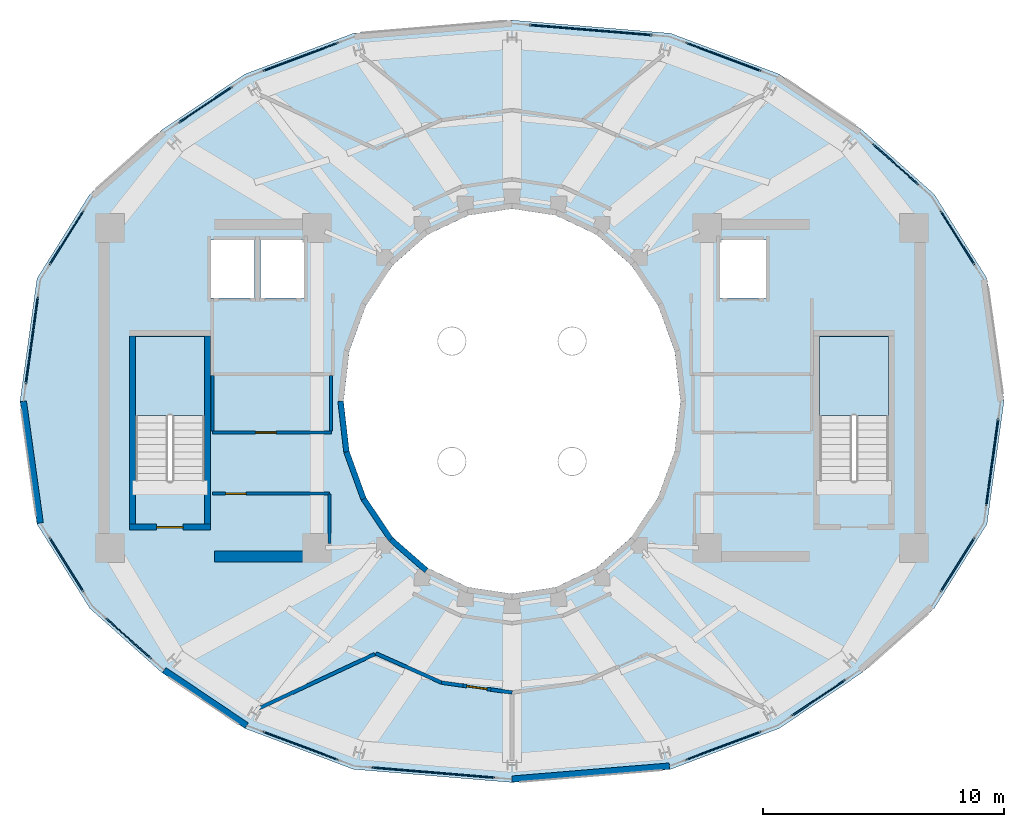
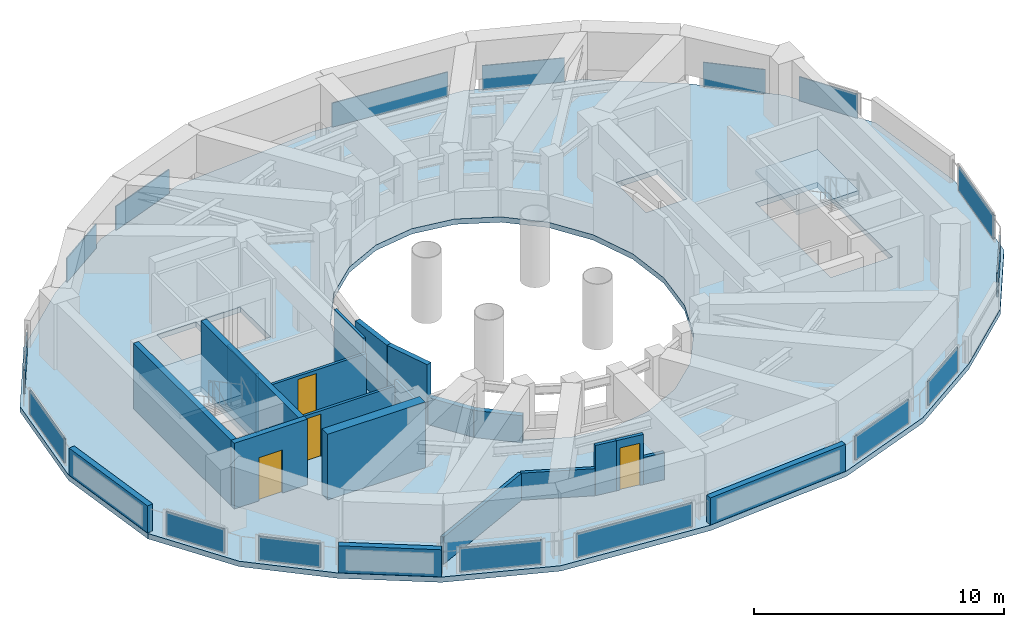
# One storey, part 12 of 17: 21 walls, 16 plates, 4 doors, 3 slabs, 4 openings, 18 elements without a shape of their own.
"""IFC4 building model written with IfcOpenShell, lengths in metres."""

from ifc_helpers import new_model, si_unit, direction, frame, frame_2d, origin, origin_2d, place, context, subcontext, project, spatial, polyline, rectangle, outline, extrude, material, layer, layer_set, type_object, element, fill, aggregate, save


model = new_model("IFC4")

# Units and contexts
model_context = context("Model", 3, precision=1e-05, world=origin(), true_north=direction((0.0, 1.0)))
body_context = subcontext(model_context, "Body", "Model", "MODEL_VIEW")
ifc_project = project(units=[si_unit("LENGTHUNIT", "METRE"), si_unit("AREAUNIT", "SQUARE_METRE"), si_unit("VOLUMEUNIT", "CUBIC_METRE"), si_unit("PLANEANGLEUNIT", "RADIAN"), si_unit("MASSUNIT", "GRAM", prefix="KILO")], contexts=[model_context])

# Site, building, storey
site_placement = place(None, origin())
site = spatial("IfcSite", under=ifc_project, at=site_placement, CompositionType="ELEMENT")
building_placement = place(site_placement, origin())
building = spatial("IfcBuilding", under=site, at=building_placement, Name="Solvane Sanctuary Tower", CompositionType="ELEMENT")
storey_placement = place(building_placement, frame((0.0, 0.0, 273.199951171875)))
storey = spatial("IfcBuildingStorey", under=building, at=storey_placement, Name="L83", CompositionType="ELEMENT", Elevation=273.199951171875)

# Curtain wall, plate
ifc_material_1 = material(Name="Anodised Aluminium 6063-T6", Category="aluminium")
ifc_layer_1 = layer(ifc_material_1, 0.219970703125, Name="Anodised Aluminium 6063-T6")
ifc_layer_set_1 = layer_set([ifc_layer_1], Name="Anodised Aluminium 6063-T6")
curtain_wall_type = type_object("IfcCurtainWallType", Name="Curtain Wall CW-CROWN", PredefinedType="NOTDEFINED", material=ifc_layer_set_1)
curtain_wall_1_placement = place(storey_placement, origin())
curtain_wall_1 = element("IfcCurtainWall", 1, at=curtain_wall_1_placement, inside=storey, type_object=curtain_wall_type, Name="L83 Crown Fritted Lantern Curtain Wall 01", PredefinedType="NOTDEFINED")
ifc_material_2 = material(Name="Acoustic Spandrel Glass", Category="glass")
ifc_layer_2 = layer(ifc_material_2, 0.052001953125, Name="Acoustic Spandrel Glass")
ifc_layer_set_2 = layer_set([ifc_layer_2], Name="Acoustic Spandrel Glass")
plate_type = type_object("IfcPlateType", Name="Plate PN-SPANDREL", PredefinedType="CURTAIN_PANEL", material=ifc_layer_set_2)
plate_1_placement = place(storey_placement, frame((50.51025390625, 29.7900390625, 0.0751953125), z_axis=(0.0, 0.0, 1.0), x_axis=(-0.53181949608, 0.846857735154, 0.0)))
plate_1 = element("IfcPlate", 2, at=plate_1_placement, type_object=plate_type, Name="CW-CROWN panel 1.1", PredefinedType="CURTAIN_PANEL", context=body_context, shape_type="SweptSolid", body=[
    extrude(rectangle(XDim=2.642578125, YDim=0.052001953125, at=origin_2d()), origin(), (0.0, 0.0, 1.0), 1.169921875),
])
aggregate(curtain_wall_1, [plate_1])

curtain_wall_2_placement = place(storey_placement, origin())
curtain_wall_2 = element("IfcCurtainWall", 3, at=curtain_wall_2_placement, inside=storey, type_object=curtain_wall_type, Name="L83 Crown Fritted Lantern Curtain Wall 02", PredefinedType="NOTDEFINED")
plate_2_placement = place(storey_placement, frame((47.934814453125, 32.846923828125, 0.0751953125), z_axis=(0.0, 0.0, 1.0), x_axis=(-0.746944268113, 0.664886652244, 0.0)))
plate_2 = element("IfcPlate", 4, at=plate_2_placement, type_object=plate_type, Name="CW-CROWN panel 1.1", PredefinedType="CURTAIN_PANEL", context=body_context, shape_type="SweptSolid", body=[
    extrude(rectangle(XDim=2.5322265625, YDim=0.052001953125, at=origin_2d()), origin(), (0.0, 0.0, 1.0), 1.169921875),
])
aggregate(curtain_wall_2, [plate_2])

curtain_wall_3_placement = place(storey_placement, origin())
curtain_wall_3 = element("IfcCurtainWall", 5, at=curtain_wall_3_placement, inside=storey, type_object=curtain_wall_type, Name="L83 Crown Fritted Lantern Curtain Wall 04", PredefinedType="NOTDEFINED")
plate_3_placement = place(storey_placement, frame((40.78173828125, 37.312255859375, 0.0751953125), z_axis=(0.0, 0.0, 1.0), x_axis=(-0.936197157999, 0.351475292665, 0.0)))
plate_3 = element("IfcPlate", 6, at=plate_3_placement, type_object=plate_type, Name="CW-CROWN panel 1.1", PredefinedType="CURTAIN_PANEL", context=body_context, shape_type="SweptSolid", body=[
    extrude(rectangle(XDim=3.338134765625, YDim=0.052001953125, at=origin_2d()), origin(), (0.0, 0.0, 1.0), 1.169921875),
])
aggregate(curtain_wall_3, [plate_3])

curtain_wall_4_placement = place(storey_placement, origin())
curtain_wall_4 = element("IfcCurtainWall", 7, at=curtain_wall_4_placement, inside=storey, type_object=curtain_wall_type, Name="L83 Crown Fritted Lantern Curtain Wall 05", PredefinedType="NOTDEFINED")
plate_4_placement = place(storey_placement, frame((35.270263671875, 38.4248046875, 0.0751953125), z_axis=(0.0, 0.0, 1.0), x_axis=(-0.996579745655, 0.082636617486, 0.0)))
plate_4 = element("IfcPlate", 8, at=plate_4_placement, type_object=plate_type, Name="CW-CROWN panel 1.1", PredefinedType="CURTAIN_PANEL", context=body_context, shape_type="SweptSolid", body=[
    extrude(rectangle(XDim=5.11279296875, YDim=0.052001953125, at=origin_2d()), origin(), (0.0, 0.0, 1.0), 1.169921875),
])
aggregate(curtain_wall_4, [plate_4])

curtain_wall_5_placement = place(storey_placement, origin())
curtain_wall_5 = element("IfcCurtainWall", 9, at=curtain_wall_5_placement, inside=storey, type_object=curtain_wall_type, Name="L83 Crown Fritted Lantern Curtain Wall 07", PredefinedType="NOTDEFINED")
plate_5_placement = place(storey_placement, frame((23.21826171875, 37.312255859375, 0.0751953125), z_axis=(0.0, 0.0, 1.0), x_axis=(-0.936197157999, -0.351475292665, 0.0)))
plate_5 = element("IfcPlate", 10, at=plate_5_placement, type_object=plate_type, Name="CW-CROWN panel 1.1", PredefinedType="CURTAIN_PANEL", context=body_context, shape_type="SweptSolid", body=[
    extrude(rectangle(XDim=3.338134765625, YDim=0.052001953125, at=origin_2d()), origin(), (0.0, 0.0, 1.0), 1.169921875),
])
aggregate(curtain_wall_5, [plate_5])

curtain_wall_6_placement = place(storey_placement, origin())
curtain_wall_6 = element("IfcCurtainWall", 11, at=curtain_wall_6_placement, inside=storey, type_object=curtain_wall_type, Name="L83 Crown Fritted Lantern Curtain Wall 08", PredefinedType="NOTDEFINED")
plate_6_placement = place(storey_placement, frame((19.2646484375, 35.32080078125, 0.0751953125), z_axis=(0.0, 0.0, 1.0), x_axis=(-0.830155833978, -0.5575314263, 0.0)))
plate_6 = element("IfcPlate", 12, at=plate_6_placement, type_object=plate_type, Name="CW-CROWN panel 1.1", PredefinedType="CURTAIN_PANEL", context=body_context, shape_type="SweptSolid", body=[
    extrude(rectangle(XDim=2.675048828125, YDim=0.052001953125, at=origin_2d()), origin(), (0.0, 0.0, 1.0), 1.169921875),
])
aggregate(curtain_wall_6, [plate_6])

curtain_wall_7_placement = place(storey_placement, origin())
curtain_wall_7 = element("IfcCurtainWall", 13, at=curtain_wall_7_placement, inside=storey, type_object=curtain_wall_type, Name="L83 Crown Fritted Lantern Curtain Wall 10", PredefinedType="NOTDEFINED")
plate_7_placement = place(storey_placement, frame((13.48974609375, 29.7900390625, 0.0751953125), z_axis=(0.0, 0.0, 1.0), x_axis=(-0.53181949608, -0.846857735154, 0.0)))
plate_7 = element("IfcPlate", 14, at=plate_7_placement, type_object=plate_type, Name="CW-CROWN panel 1.1", PredefinedType="CURTAIN_PANEL", context=body_context, shape_type="SweptSolid", body=[
    extrude(rectangle(XDim=2.642578125, YDim=0.052001953125, at=origin_2d()), origin(), (0.0, 0.0, 1.0), 1.169921875),
])
aggregate(curtain_wall_7, [plate_7])

curtain_wall_8_placement = place(storey_placement, origin())
curtain_wall_8 = element("IfcCurtainWall", 15, at=curtain_wall_8_placement, inside=storey, type_object=curtain_wall_type, Name="L83 Crown Fritted Lantern Curtain Wall 11", PredefinedType="NOTDEFINED")
plate_8_placement = place(storey_placement, frame((12.05078125, 25.528564453125, 0.0751953125), z_axis=(0.0, 0.0, 1.0), x_axis=(-0.137380743565, -0.990518314468, 0.0)))
plate_8 = element("IfcPlate", 16, at=plate_8_placement, type_object=plate_type, Name="CW-CROWN panel 1.1", PredefinedType="CURTAIN_PANEL", context=body_context, shape_type="SweptSolid", body=[
    extrude(rectangle(XDim=3.655517578125, YDim=0.052001953125, at=origin_2d()), origin(), (0.0, 0.0, 1.0), 1.169921875),
])
aggregate(curtain_wall_8, [plate_8])

curtain_wall_9_placement = place(storey_placement, origin())
curtain_wall_9 = element("IfcCurtainWall", 17, at=curtain_wall_9_placement, inside=storey, type_object=curtain_wall_type, Name="L83 Crown Fritted Lantern Curtain Wall 13", PredefinedType="NOTDEFINED")
plate_9_placement = place(storey_placement, frame((13.48974609375, 16.2099609375, 0.0751953125), z_axis=(0.0, 0.0, 1.0), x_axis=(0.53181949608, -0.846857735154, 0.0)))
plate_9 = element("IfcPlate", 18, at=plate_9_placement, type_object=plate_type, Name="CW-CROWN panel 1.1", PredefinedType="CURTAIN_PANEL", context=body_context, shape_type="SweptSolid", body=[
    extrude(rectangle(XDim=2.642578125, YDim=0.052001953125, at=origin_2d()), origin(), (0.0, 0.0, 1.0), 1.169921875),
])
aggregate(curtain_wall_9, [plate_9])

curtain_wall_10_placement = place(storey_placement, origin())
curtain_wall_10 = element("IfcCurtainWall", 19, at=curtain_wall_10_placement, inside=storey, type_object=curtain_wall_type, Name="L83 Crown Fritted Lantern Curtain Wall 14", PredefinedType="NOTDEFINED")
plate_10_placement = place(storey_placement, frame((16.065185546875, 13.153076171875, 0.0751953125), z_axis=(0.0, 0.0, 1.0), x_axis=(0.746944268113, -0.664886652244, 0.0)))
plate_10 = element("IfcPlate", 20, at=plate_10_placement, type_object=plate_type, Name="CW-CROWN panel 1.1", PredefinedType="CURTAIN_PANEL", context=body_context, shape_type="SweptSolid", body=[
    extrude(rectangle(XDim=2.5322265625, YDim=0.052001953125, at=origin_2d()), origin(), (0.0, 0.0, 1.0), 1.169921875),
])
aggregate(curtain_wall_10, [plate_10])

curtain_wall_11_placement = place(storey_placement, origin())
curtain_wall_11 = element("IfcCurtainWall", 21, at=curtain_wall_11_placement, inside=storey, type_object=curtain_wall_type, Name="L83 Crown Fritted Lantern Curtain Wall 16", PredefinedType="NOTDEFINED")
plate_11_placement = place(storey_placement, frame((23.21826171875, 8.687744140625, 0.0751953125), z_axis=(0.0, 0.0, 1.0), x_axis=(0.936197157999, -0.351475292665, 0.0)))
plate_11 = element("IfcPlate", 22, at=plate_11_placement, type_object=plate_type, Name="CW-CROWN panel 1.1", PredefinedType="CURTAIN_PANEL", context=body_context, shape_type="SweptSolid", body=[
    extrude(rectangle(XDim=3.338134765625, YDim=0.052001953125, at=origin_2d()), origin(), (0.0, 0.0, 1.0), 1.169921875),
])
aggregate(curtain_wall_11, [plate_11])

curtain_wall_12_placement = place(storey_placement, origin())
curtain_wall_12 = element("IfcCurtainWall", 23, at=curtain_wall_12_placement, inside=storey, type_object=curtain_wall_type, Name="L83 Crown Fritted Lantern Curtain Wall 17", PredefinedType="NOTDEFINED")
plate_12_placement = place(storey_placement, frame((28.729736328125, 7.5751953125, 0.0751953125), z_axis=(0.0, 0.0, 1.0), x_axis=(0.996579745655, -0.082636617486, 0.0)))
plate_12 = element("IfcPlate", 24, at=plate_12_placement, type_object=plate_type, Name="CW-CROWN panel 1.1", PredefinedType="CURTAIN_PANEL", context=body_context, shape_type="SweptSolid", body=[
    extrude(rectangle(XDim=5.11279296875, YDim=0.052001953125, at=origin_2d()), origin(), (0.0, 0.0, 1.0), 1.169921875),
])
aggregate(curtain_wall_12, [plate_12])

curtain_wall_13_placement = place(storey_placement, origin())
curtain_wall_13 = element("IfcCurtainWall", 25, at=curtain_wall_13_placement, inside=storey, type_object=curtain_wall_type, Name="L83 Crown Fritted Lantern Curtain Wall 19", PredefinedType="NOTDEFINED")
plate_13_placement = place(storey_placement, frame((40.78173828125, 8.687744140625, 0.0751953125), z_axis=(0.0, 0.0, 1.0), x_axis=(0.936197157999, 0.351475292665, 0.0)))
plate_13 = element("IfcPlate", 26, at=plate_13_placement, type_object=plate_type, Name="CW-CROWN panel 1.1", PredefinedType="CURTAIN_PANEL", context=body_context, shape_type="SweptSolid", body=[
    extrude(rectangle(XDim=3.338134765625, YDim=0.052001953125, at=origin_2d()), origin(), (0.0, 0.0, 1.0), 1.169921875),
])
aggregate(curtain_wall_13, [plate_13])

curtain_wall_14_placement = place(storey_placement, origin())
curtain_wall_14 = element("IfcCurtainWall", 27, at=curtain_wall_14_placement, inside=storey, type_object=curtain_wall_type, Name="L83 Crown Fritted Lantern Curtain Wall 20", PredefinedType="NOTDEFINED")
plate_14_placement = place(storey_placement, frame((44.7353515625, 10.67919921875, 0.0751953125), z_axis=(0.0, 0.0, 1.0), x_axis=(0.830155833978, 0.5575314263, 0.0)))
plate_14 = element("IfcPlate", 28, at=plate_14_placement, type_object=plate_type, Name="CW-CROWN panel 1.1", PredefinedType="CURTAIN_PANEL", context=body_context, shape_type="SweptSolid", body=[
    extrude(rectangle(XDim=2.675048828125, YDim=0.052001953125, at=origin_2d()), origin(), (0.0, 0.0, 1.0), 1.169921875),
])
aggregate(curtain_wall_14, [plate_14])

curtain_wall_15_placement = place(storey_placement, origin())
curtain_wall_15 = element("IfcCurtainWall", 29, at=curtain_wall_15_placement, inside=storey, type_object=curtain_wall_type, Name="L83 Crown Fritted Lantern Curtain Wall 22", PredefinedType="NOTDEFINED")
plate_15_placement = place(storey_placement, frame((50.51025390625, 16.2099609375, 0.0751953125), z_axis=(0.0, 0.0, 1.0), x_axis=(0.53181949608, 0.846857735154, 0.0)))
plate_15 = element("IfcPlate", 30, at=plate_15_placement, type_object=plate_type, Name="CW-CROWN panel 1.1", PredefinedType="CURTAIN_PANEL", context=body_context, shape_type="SweptSolid", body=[
    extrude(rectangle(XDim=2.642578125, YDim=0.052001953125, at=origin_2d()), origin(), (0.0, 0.0, 1.0), 1.169921875),
])
aggregate(curtain_wall_15, [plate_15])

curtain_wall_16_placement = place(storey_placement, origin())
curtain_wall_16 = element("IfcCurtainWall", 31, at=curtain_wall_16_placement, inside=storey, type_object=curtain_wall_type, Name="L83 Crown Fritted Lantern Curtain Wall 23", PredefinedType="NOTDEFINED")
plate_16_placement = place(storey_placement, frame((51.94921875, 20.471435546875, 0.0751953125), z_axis=(0.0, 0.0, 1.0), x_axis=(0.137380743565, 0.990518314468, 0.0)))
plate_16 = element("IfcPlate", 32, at=plate_16_placement, type_object=plate_type, Name="CW-CROWN panel 1.1", PredefinedType="CURTAIN_PANEL", context=body_context, shape_type="SweptSolid", body=[
    extrude(rectangle(XDim=3.655517578125, YDim=0.052001953125, at=origin_2d()), origin(), (0.0, 0.0, 1.0), 1.169921875),
])
aggregate(curtain_wall_16, [plate_16])

# Slab
ifc_material_3 = material(Name="Concrete C50/60", Category="concrete")
ifc_layer_3 = layer(ifc_material_3, 0.260009765625, Name="Concrete C50/60")
ifc_layer_set_3 = layer_set([ifc_layer_3], Name="Concrete C50/60")
slab_type_1 = type_object("IfcSlabType", Name="Slab SL-CROWN-260", PredefinedType="FLOOR", material=ifc_layer_set_3)
slab_1_placement = place(storey_placement, frame((0.0, 0.0, -0.260009765625)))
element("IfcSlab", 33, at=slab_1_placement, inside=storey, type_object=slab_type_1, Name="L83 Primary Structural Slab", PredefinedType="FLOOR", context=body_context, shape_type="SweptSolid", body=[
    extrude(outline(polyline([(52.43994140625, 23.0), (51.73388671875, 28.10205078125), (49.542236328125, 31.59912109375), (46.547119140625, 34.2705078125), (43.09912109375, 36.5908203125), (38.58544921875, 38.288818359375), (32.0, 38.8359375), (25.41455078125, 38.288818359375), (20.90087890625, 36.5908203125), (17.452880859375, 34.2705078125), (14.457763671875, 31.59912109375), (12.26611328125, 28.10205078125), (11.56005859375, 23.0), (12.26611328125, 17.89794921875), (14.457763671875, 14.40087890625), (17.452880859375, 11.7294921875), (20.90087890625, 9.4091796875), (25.41455078125, 7.711181640625), (32.0, 7.1640625), (38.58544921875, 7.711181640625), (43.09912109375, 9.4091796875), (46.547119140625, 11.7294921875), (49.542236328125, 14.40087890625), (51.73388671875, 17.89794921875), (52.43994140625, 23.0)]), holes=[polyline([(38.761474609375, 20.929443359375), (38.062255859375, 19.0), (36.94970703125, 17.343017578125), (35.5, 16.07177734375), (33.811767578125, 15.272705078125), (32.0, 15.0), (30.188232421875, 15.272705078125), (28.5, 16.07177734375), (27.05029296875, 17.343017578125), (25.937744140625, 19.0), (25.238525390625, 20.929443359375), (25.0, 23.0), (25.238525390625, 25.070556640625), (25.937744140625, 27.0), (27.05029296875, 28.656982421875), (28.5, 29.92822265625), (30.188232421875, 30.727294921875), (32.0, 31.0), (33.811767578125, 30.727294921875), (35.5, 29.92822265625), (36.94970703125, 28.656982421875), (38.062255859375, 27.0), (38.761474609375, 25.070556640625), (39.0, 23.0), (38.761474609375, 20.929443359375)]), polyline([(16.360107421875, 19.699951171875), (16.360107421875, 25.699951171875), (19.219970703125, 25.699951171875), (19.219970703125, 19.699951171875), (16.360107421875, 19.699951171875)]), polyline([(44.780029296875, 19.699951171875), (44.780029296875, 25.699951171875), (47.639892578125, 25.699951171875), (47.639892578125, 19.699951171875), (44.780029296875, 19.699951171875)]), polyline([(19.5, 29.699951171875), (21.300048828125, 29.699951171875), (21.300048828125, 27.300048828125), (19.5, 27.300048828125), (19.5, 29.699951171875)]), polyline([(21.550048828125, 29.699951171875), (23.35009765625, 29.699951171875), (23.35009765625, 27.300048828125), (21.550048828125, 27.300048828125), (21.550048828125, 29.699951171875)]), polyline([(40.64990234375, 29.699951171875), (42.550048828125, 29.699951171875), (42.550048828125, 27.300048828125), (40.64990234375, 27.300048828125), (40.64990234375, 29.699951171875)])]), origin(), (0.0, 0.0, 1.0), 0.260009765625),
])

# Stair, slab
ifc_material_4 = material(Name="Concrete C45/55", Category="concrete")
stair_type = type_object("IfcStairType", Name="Stair ST-TOW", PredefinedType="HALF_TURN_STAIR", material=ifc_material_4)
stair_1_placement = place(storey_placement, origin())
stair_1 = element("IfcStair", 34, at=stair_1_placement, inside=storey, type_object=stair_type, Name="L83 Exit Stair ST-1 West Core", PredefinedType="HALF_TURN_STAIR")
ifc_layer_4 = layer(ifc_material_4, 0.199951171875, Name="Concrete C45/55")
ifc_layer_set_4 = layer_set([ifc_layer_4], Name="Concrete C45/55")
slab_type_2 = type_object("IfcSlabType", Name="Slab SL-LAND-180", PredefinedType="LANDING", material=ifc_layer_set_4)
slab_2_placement = place(storey_placement, frame((0.0, 0.0, 1.400146484375)))
slab_2 = element("IfcSlab", 35, at=slab_2_placement, type_object=slab_type_2, Name="ST-1 landing 1", PredefinedType="LANDING", context=body_context, shape_type="SweptSolid", body=[
    extrude(outline(polyline([(19.219970703125, 22.39990234375), (19.219970703125, 25.699951171875), (16.360107421875, 25.699951171875), (16.360107421875, 22.39990234375), (19.219970703125, 22.39990234375)])), origin(), (0.0, 0.0, 1.0), 0.199951171875),
])
aggregate(stair_1, [slab_2])

stair_2_placement = place(storey_placement, origin())
stair_2 = element("IfcStair", 36, at=stair_2_placement, inside=storey, type_object=stair_type, Name="L83 Exit Stair ST-2 East Core", PredefinedType="HALF_TURN_STAIR")
slab_3_placement = place(storey_placement, frame((0.0, 0.0, 1.400146484375)))
slab_3 = element("IfcSlab", 37, at=slab_3_placement, type_object=slab_type_2, Name="ST-2 landing 1", PredefinedType="LANDING", context=body_context, shape_type="SweptSolid", body=[
    extrude(outline(polyline([(47.639892578125, 22.39990234375), (47.639892578125, 25.699951171875), (44.780029296875, 25.699951171875), (44.780029296875, 22.39990234375), (47.639892578125, 22.39990234375)])), origin(), (0.0, 0.0, 1.0), 0.199951171875),
])
aggregate(stair_2, [slab_3])

# Walls
ifc_layer_5 = layer(ifc_material_3, 0.449951171875, Name="Concrete C50/60")
ifc_layer_set_5 = layer_set([ifc_layer_5], Name="Concrete C50/60")
wall_type_1 = type_object("IfcWallType", Name="Wall W-CORE-450", PredefinedType="SHEAR", material=ifc_layer_set_5)
wall_1_placement = place(storey_placement, frame((19.64990234375, 16.550048828125, 0.0), z_axis=(0.0, 0.0, 1.0), x_axis=(1.0, 0.0, 0.0)))
element("IfcWall", 38, at=wall_1_placement, inside=storey, type_object=wall_type_1, Name="L83 Core Shear Wall WC-S", PredefinedType="SHEAR", context=body_context, shape_type="SweptSolid", body=[
    extrude(rectangle(XDim=4.5, YDim=0.449951171875, at=frame_2d((2.25, 0.0))), origin(), (0.0, 0.0, 1.0), 3.199951171875),
])
ifc_material_5 = material(Name="Acoustic Gypsum Partition Board")
ifc_layer_6 = layer(ifc_material_5, 0.14990234375, Name="Acoustic Gypsum Partition Board")
ifc_layer_set_6 = layer_set([ifc_layer_6], Name="Acoustic Gypsum Partition Board")
wall_type_2 = type_object("IfcWallType", Name="Wall W-CORR-150", PredefinedType="PARTITIONING", material=ifc_layer_set_6)
wall_2_placement = place(storey_placement, frame((26.30029296875, 12.497802734375, 0.0), z_axis=(0.0, 0.0, 1.0), x_axis=(-0.90567955352, -0.423962906793, 0.0)))
element("IfcWall", 39, at=wall_2_placement, inside=storey, type_object=wall_type_2, Name="L83 Mechanical Plant Radial Wall 240", PredefinedType="PARTITIONING", context=body_context, shape_type="SweptSolid", body=[
    extrude(rectangle(XDim=5.41943359375, YDim=0.14990234375, at=frame_2d((2.709716796875, 0.0))), origin(), (0.0, 0.0, 1.0), 1.320068359375),
])
wall_3_placement = place(storey_placement, frame((26.34326171875, 12.525390625, 0.0), z_axis=(0.0, 0.0, 1.0), x_axis=(0.913989848226, -0.405737054432, 0.0)))
element("IfcWall", 40, at=wall_3_placement, inside=storey, type_object=wall_type_2, Name="L83 Plant Corridor Wall 4", PredefinedType="PARTITIONING", context=body_context, shape_type="SweptSolid", body=[
    extrude(rectangle(XDim=2.9912109375, YDim=0.14990234375, at=frame_2d((1.49560546875, 0.0))), origin(), (0.0, 0.0, 1.0), 1.320068359375),
])
wall_4_placement = place(storey_placement, frame((29.073486328125, 11.312744140625, 0.0), z_axis=(0.0, 0.0, 1.0), x_axis=(0.990273584723, -0.13913384707, 0.0)))
element("IfcWall", 41, at=wall_4_placement, inside=storey, type_object=wall_type_2, Name="L83 Plant Corridor Wall 4", PredefinedType="PARTITIONING", context=body_context, shape_type="SweptSolid", body=[
    extrude(rectangle(XDim=0.896728515625, YDim=0.14990234375, at=frame_2d((0.4482421875, 0.0))), origin(), (0.0, 0.0, 1.0), 2.445068359375),
])

# Wall, opening, door
wall_5_placement = place(storey_placement, frame((29.96142578125, 11.18798828125, 0.0), z_axis=(0.0, 0.0, 1.0), x_axis=(0.990239487993, -0.139376312259, 0.0)))
wall_5 = element("IfcWall", 42, at=wall_5_placement, inside=storey, type_object=wall_type_2, Name="L83 Plant Corridor Wall 4", PredefinedType="PARTITIONING", context=body_context, shape_type="SweptSolid", body=[
    extrude(rectangle(XDim=1.170166015625, YDim=0.14990234375, at=frame_2d((0.5849609375, 0.0))), origin(), (0.0, 0.0, 1.0), 2.445068359375),
])
opening_1_placement = place(wall_5_placement, frame((0.159912109375, 0.0, 0.0)))
opening_1 = element("IfcOpeningElement", 43, at=opening_1_placement, cuts=wall_5, Name="Opening D-L83-12", PredefinedType="OPENING", context=body_context, shape_type="SweptSolid", body=[
    extrude(rectangle(XDim=0.85009765625, YDim=2.050048828125, at=frame_2d((0.425048828125, 1.02490234375))), frame((0.0, 0.0849609375, 0.0), z_axis=(0.0, -1.0, 0.0), x_axis=(1.0, 0.0, 0.0)), (0.0, 0.0, 1.0), 0.169921875),
])
ifc_material_6 = material(Name="Architectural Stainless Steel 316", Category="steel")
door_type_1 = type_object("IfcDoorType", Name="Door D-RISER", OperationType="NOTDEFINED", PredefinedType="DOOR", material=ifc_material_6)
door_1_placement = place(opening_1_placement, origin())
door_1 = element("IfcDoor", 44, at=door_1_placement, inside=storey, type_object=door_type_1, Name="L83 Plant Room Door 4", OperationType="SINGLE_SWING_RIGHT", OverallHeight=2.050048828125, OverallWidth=0.85009765625, PredefinedType="DOOR", context=body_context, shape_type="SweptSolid", body=[
    extrude(rectangle(XDim=0.85009765625, YDim=2.050048828125, at=frame_2d((0.425048828125, 1.02490234375))), frame((0.0, 0.02490234375, 0.0), z_axis=(0.0, -1.0, 0.0), x_axis=(1.0, 0.0, 0.0)), (0.0, 0.0, 1.0), 0.050048828125),
])
fill(opening_1, door_1)

# Walls
wall_6_placement = place(storey_placement, frame((31.1201171875, 11.02490234375, 0.0), z_axis=(0.0, 0.0, 1.0), x_axis=(0.99023074259, -0.1394384324, 0.0)))
element("IfcWall", 45, at=wall_6_placement, inside=storey, type_object=wall_type_2, Name="L83 Plant Corridor Wall 4", PredefinedType="PARTITIONING", context=body_context, shape_type="SweptSolid", body=[
    extrude(rectangle(XDim=0.896484375, YDim=0.14990234375, at=frame_2d((0.4482421875, 0.0))), origin(), (0.0, 0.0, 1.0), 1.320068359375),
])
ifc_material_7 = material(Name="Precast concrete C40/50", Category="concrete")
ifc_layer_7 = layer(ifc_material_7, 0.260009765625, Name="Precast concrete C40/50")
ifc_layer_set_7 = layer_set([ifc_layer_7], Name="Precast concrete C40/50")
wall_type_3 = type_object("IfcWallType", Name="Wall W-EXT-250", PredefinedType="STANDARD", material=ifc_layer_set_7)
wall_7_placement = place(storey_placement, frame((11.699951171875, 23.0, 0.0), z_axis=(0.0, 0.0, 1.0), x_axis=(0.13738982753, -0.990517054518, 0.0)))
element("IfcWall", 46, at=wall_7_placement, inside=storey, type_object=wall_type_3, Name="L83 Crown Acoustic Louvred Wall 12", PredefinedType="STANDARD", context=body_context, shape_type="SweptSolid", body=[
    extrude(rectangle(XDim=5.105224609375, YDim=0.260009765625, at=frame_2d((2.552734375, 0.0))), origin(), (0.0, 0.0, 1.0), 1.320068359375),
])
wall_8_placement = place(storey_placement, frame((17.552490234375, 11.8291015625, 0.0), z_axis=(0.0, 0.0, 1.0), x_axis=(0.830169869245, -0.557510527432, 0.0)))
element("IfcWall", 47, at=wall_8_placement, inside=storey, type_object=wall_type_3, Name="L83 Crown Acoustic Louvred Wall 15", PredefinedType="STANDARD", context=body_context, shape_type="SweptSolid", body=[
    extrude(rectangle(XDim=4.125244140625, YDim=0.260009765625, at=frame_2d((2.0625, 0.0))), origin(), (0.0, 0.0, 1.0), 1.320068359375),
])
wall_9_placement = place(storey_placement, frame((32.0, 7.303955078125, 0.0), z_axis=(0.0, 0.0, 1.0), x_axis=(0.996580817631, 0.082623688677, 0.0)))
element("IfcWall", 48, at=wall_9_placement, inside=storey, type_object=wall_type_3, Name="L83 Crown Acoustic Louvred Wall 18", PredefinedType="STANDARD", context=body_context, shape_type="SweptSolid", body=[
    extrude(rectangle(XDim=6.562744140625, YDim=0.260009765625, at=frame_2d((3.28125, 0.0))), origin(), (0.0, 0.0, 1.0), 1.320068359375),
])
ifc_layer_8 = layer(ifc_material_7, 0.22998046875, Name="Precast concrete C40/50")
ifc_layer_set_8 = layer_set([ifc_layer_8], Name="Precast concrete C40/50")
wall_type_4 = type_object("IfcWallType", Name="Wall W-EXT-SP220", PredefinedType="STANDARD", material=ifc_layer_set_8)
wall_10_placement = place(storey_placement, frame((24.8798828125, 23.0, 0.0), z_axis=(0.0, 0.0, 1.0), x_axis=(0.114711713601, -0.993398823617, 0.0)))
element("IfcWall", 49, at=wall_10_placement, inside=storey, type_object=wall_type_4, Name="L83 Central Light-Well Wall 12", PredefinedType="STANDARD", context=body_context, shape_type="SweptSolid", body=[
    extrude(rectangle(XDim=2.115478515625, YDim=0.22998046875, at=frame_2d((1.0576171875, 0.0))), origin(), (0.0, 0.0, 1.0), 2.900146484375),
])
wall_11_placement = place(storey_placement, frame((25.12255859375, 20.8984375, 0.0), z_axis=(0.0, 0.0, 1.0), x_axis=(0.341423187295, -0.93990968033, 0.0)))
element("IfcWall", 50, at=wall_11_placement, inside=storey, type_object=wall_type_4, Name="L83 Central Light-Well Wall 13", PredefinedType="STANDARD", context=body_context, shape_type="SweptSolid", body=[
    extrude(rectangle(XDim=2.083740234375, YDim=0.22998046875, at=frame_2d((1.0419921875, 0.0))), origin(), (0.0, 0.0, 1.0), 2.900146484375),
])
wall_12_placement = place(storey_placement, frame((25.833984375, 18.93994140625, 0.0), z_axis=(0.0, 0.0, 1.0), x_axis=(0.558197800898, -0.829707909492, 0.0)))
element("IfcWall", 51, at=wall_12_placement, inside=storey, type_object=wall_type_4, Name="L83 Central Light-Well Wall 14", PredefinedType="STANDARD", context=body_context, shape_type="SweptSolid", body=[
    extrude(rectangle(XDim=2.02685546875, YDim=0.22998046875, at=frame_2d((1.013427734375, 0.0))), origin(), (0.0, 0.0, 1.0), 1.320068359375),
])
wall_13_placement = place(storey_placement, frame((26.96533203125, 17.25830078125, 0.0), z_axis=(0.0, 0.0, 1.0), x_axis=(0.752576694707, -0.658504607869, 0.0)))
element("IfcWall", 52, at=wall_13_placement, inside=storey, type_object=wall_type_4, Name="L83 Central Light-Well Wall 15", PredefinedType="STANDARD", context=body_context, shape_type="SweptSolid", body=[
    extrude(rectangle(XDim=1.95947265625, YDim=0.22998046875, at=frame_2d((0.979736328125, 0.0))), origin(), (0.0, 0.0, 1.0), 1.320068359375),
])

# Wall, opening, door
ifc_layer_9 = layer(ifc_material_5, 0.125, Name="Acoustic Gypsum Partition Board")
ifc_layer_set_9 = layer_set([ifc_layer_9], Name="Acoustic Gypsum Partition Board")
wall_type_5 = type_object("IfcWallType", Name="Wall W-PART-125", PredefinedType="PARTITIONING", material=ifc_layer_set_9)
wall_14_placement = place(storey_placement, frame((19.550048828125, 19.159912109375, 0.0), z_axis=(0.0, 0.0, 1.0), x_axis=(1.0, 0.0, 0.0)))
wall_14 = element("IfcWall", 53, at=wall_14_placement, inside=storey, type_object=wall_type_5, Name="L83 Reclaimed Room Partition PLW", PredefinedType="PARTITIONING", context=body_context, shape_type="SweptSolid", body=[
    extrude(rectangle(XDim=4.869873046875, YDim=0.125, at=frame_2d((2.43505859375, 0.0))), origin(), (0.0, 0.0, 1.0), 2.219970703125),
])
opening_2_placement = place(wall_14_placement, frame((0.550048828125, 0.0, 0.0)))
opening_2 = element("IfcOpeningElement", 54, at=opening_2_placement, cuts=wall_14, Name="Opening D-L83-05", PredefinedType="OPENING", context=body_context, shape_type="SweptSolid", body=[
    extrude(rectangle(XDim=0.85009765625, YDim=2.050048828125, at=frame_2d((0.425048828125, 1.02490234375))), frame((0.0, 0.072509765625, 0.0), z_axis=(0.0, -1.0, 0.0), x_axis=(1.0, 0.0, 0.0)), (0.0, 0.0, 1.0), 0.14501953125),
])
door_2_placement = place(opening_2_placement, origin())
door_2 = element("IfcDoor", 55, at=door_2_placement, inside=storey, type_object=door_type_1, Name="L83 Reclaimed Room Door PLW-1", OperationType="SINGLE_SWING_LEFT", OverallHeight=2.050048828125, OverallWidth=0.85009765625, PredefinedType="DOOR", context=body_context, shape_type="SweptSolid", body=[
    extrude(rectangle(XDim=0.85009765625, YDim=2.050048828125, at=frame_2d((0.425048828125, 1.02490234375))), frame((0.0, 0.02490234375, 0.0), z_axis=(0.0, -1.0, 0.0), x_axis=(1.0, 0.0, 0.0)), (0.0, 0.0, 1.0), 0.050048828125),
])
fill(opening_2, door_2)

# Wall
wall_15_placement = place(storey_placement, frame((24.419921875, 17.10009765625, 0.0), z_axis=(0.0, 0.0, 1.0), x_axis=(0.0, 1.0, 0.0)))
element("IfcWall", 56, at=wall_15_placement, inside=storey, type_object=wall_type_5, Name="L83 Reclaimed Room Closer Wall PLW-1", PredefinedType="PARTITIONING", context=body_context, shape_type="SweptSolid", body=[
    extrude(rectangle(XDim=2.039794921875, YDim=0.125, at=frame_2d((1.02001953125, 0.0))), origin(), (0.0, 0.0, 1.0), 2.490966796875),
])

# Wall, opening, door
wall_16_placement = place(storey_placement, frame((19.550048828125, 21.699951171875, 0.0), z_axis=(0.0, 0.0, 1.0), x_axis=(1.0, 0.0, 0.0)))
wall_16 = element("IfcWall", 57, at=wall_16_placement, inside=storey, type_object=wall_type_5, Name="L83 Reclaimed Room Partition PMW", PredefinedType="PARTITIONING", context=body_context, shape_type="SweptSolid", body=[
    extrude(rectangle(XDim=4.949951171875, YDim=0.125, at=frame_2d((2.47509765625, 0.0))), origin(), (0.0, 0.0, 1.0), 2.219970703125),
])
opening_3_placement = place(wall_16_placement, frame((1.800048828125, 0.0, 0.0)))
opening_3 = element("IfcOpeningElement", 58, at=opening_3_placement, cuts=wall_16, Name="Opening D-L83-07", PredefinedType="OPENING", context=body_context, shape_type="SweptSolid", body=[
    extrude(rectangle(XDim=0.85009765625, YDim=2.050048828125, at=frame_2d((0.425048828125, 1.02490234375))), frame((0.0, 0.072509765625, 0.0), z_axis=(0.0, -1.0, 0.0), x_axis=(1.0, 0.0, 0.0)), (0.0, 0.0, 1.0), 0.14501953125),
])
door_3_placement = place(opening_3_placement, origin())
door_3 = element("IfcDoor", 59, at=door_3_placement, inside=storey, type_object=door_type_1, Name="L83 Reclaimed Room Door PMW-1", OperationType="SINGLE_SWING_LEFT", OverallHeight=2.050048828125, OverallWidth=0.85009765625, PredefinedType="DOOR", context=body_context, shape_type="SweptSolid", body=[
    extrude(rectangle(XDim=0.85009765625, YDim=2.050048828125, at=frame_2d((0.425048828125, 1.02490234375))), frame((0.0, 0.02490234375, 0.0), z_axis=(0.0, -1.0, 0.0), x_axis=(1.0, 0.0, 0.0)), (0.0, 0.0, 1.0), 0.050048828125),
])
fill(opening_3, door_3)

# Walls
for number, where, z_axis, x_axis, name in (
    (60, (19.550048828125, 21.760009765625, 0.0), (0.0, 0.0, 1.0), (0.0, 1.0, 0.0), "L83 Reclaimed Room Closer Wall PMW-1"),
    (61, (24.47998046875, 21.760009765625, 0.0), (0.0, 0.0, 1.0), (0.0, 1.0, 0.0), "L83 Reclaimed Room Closer Wall PMW-2"),
):
    element("IfcWall", number, at=place(storey_placement, frame(where, z_axis=z_axis, x_axis=x_axis)), inside=storey, type_object=wall_type_5, Name=name, PredefinedType="PARTITIONING", context=body_context, shape_type="SweptSolid", body=[
        extrude(rectangle(XDim=2.320068359375, YDim=0.125, at=frame_2d((1.16015625, 0.0))), origin(), (0.0, 0.0, 1.0), 2.9150390625),
    ])

# Wall, opening, door
ifc_layer_10 = layer(ifc_material_3, 0.25, Name="Concrete C50/60")
ifc_layer_set_10 = layer_set([ifc_layer_10], Name="Concrete C50/60")
wall_type_6 = type_object("IfcWallType", Name="Wall W-SHAFT-250", PredefinedType="SOLIDWALL", material=ifc_layer_set_10)
wall_17_placement = place(storey_placement, frame((16.10498046875, 17.77001953125, 0.0), z_axis=(0.0, 0.0, 1.0), x_axis=(1.0, 0.0, 0.0)))
wall_17 = element("IfcWall", 62, at=wall_17_placement, inside=storey, type_object=wall_type_6, Name="L83 ST-1 Load-Bearing Shaft Wall S", PredefinedType="SOLIDWALL", context=body_context, shape_type="SweptSolid", body=[
    extrude(rectangle(XDim=3.3701171875, YDim=0.25, at=frame_2d((1.68505859375, 0.0))), origin(), (0.0, 0.0, 1.0), 3.199951171875),
])
opening_4_placement = place(wall_17_placement, frame((1.135009765625, 0.0, 0.0)))
opening_4 = element("IfcOpeningElement", 63, at=opening_4_placement, cuts=wall_17, Name="Opening D-L83-01", PredefinedType="OPENING", context=body_context, shape_type="SweptSolid", body=[
    extrude(rectangle(XDim=1.10009765625, YDim=2.10009765625, at=frame_2d((0.550048828125, 1.050048828125))), frame((0.0, 0.135009765625, 0.0), z_axis=(0.0, -1.0, 0.0), x_axis=(1.0, 0.0, 0.0)), (0.0, 0.0, 1.0), 0.27001953125),
])
door_type_2 = type_object("IfcDoorType", Name="Door D-STAIR", OperationType="NOTDEFINED", PredefinedType="DOOR", material=ifc_material_6)
door_4_placement = place(opening_4_placement, origin())
door_4 = element("IfcDoor", 64, at=door_4_placement, inside=storey, type_object=door_type_2, Name="L83 ST-1 Exit Stair Fire Door", OperationType="SINGLE_SWING_LEFT", OverallHeight=2.10009765625, OverallWidth=1.10009765625, PredefinedType="DOOR", context=body_context, shape_type="SweptSolid", body=[
    extrude(rectangle(XDim=1.10009765625, YDim=2.10009765625, at=frame_2d((0.550048828125, 1.050048828125))), frame((0.0, 0.02490234375, 0.0), z_axis=(0.0, -1.0, 0.0), x_axis=(1.0, 0.0, 0.0)), (0.0, 0.0, 1.0), 0.050048828125),
])
fill(opening_4, door_4)

# Walls
for number, where, z_axis, x_axis, name in (
    (65, (16.22998046875, 17.89501953125, 0.0), (0.0, 0.0, 1.0), (0.0, 1.0, 0.0), "L83 ST-1 Load-Bearing Shaft Wall W"),
    (66, (19.35009765625, 17.89501953125, 0.0), (0.0, 0.0, 1.0), (0.0, 1.0, 0.0), "L83 ST-1 Load-Bearing Shaft Wall E"),
):
    element("IfcWall", number, at=place(storey_placement, frame(where, z_axis=z_axis, x_axis=x_axis)), inside=storey, type_object=wall_type_6, Name=name, PredefinedType="SOLIDWALL", context=body_context, shape_type="SweptSolid", body=[
        extrude(rectangle(XDim=7.81005859375, YDim=0.25, at=frame_2d((3.905029296875, 0.0))), origin(), (0.0, 0.0, 1.0), 3.199951171875),
    ])

save(model, "model.ifc")
